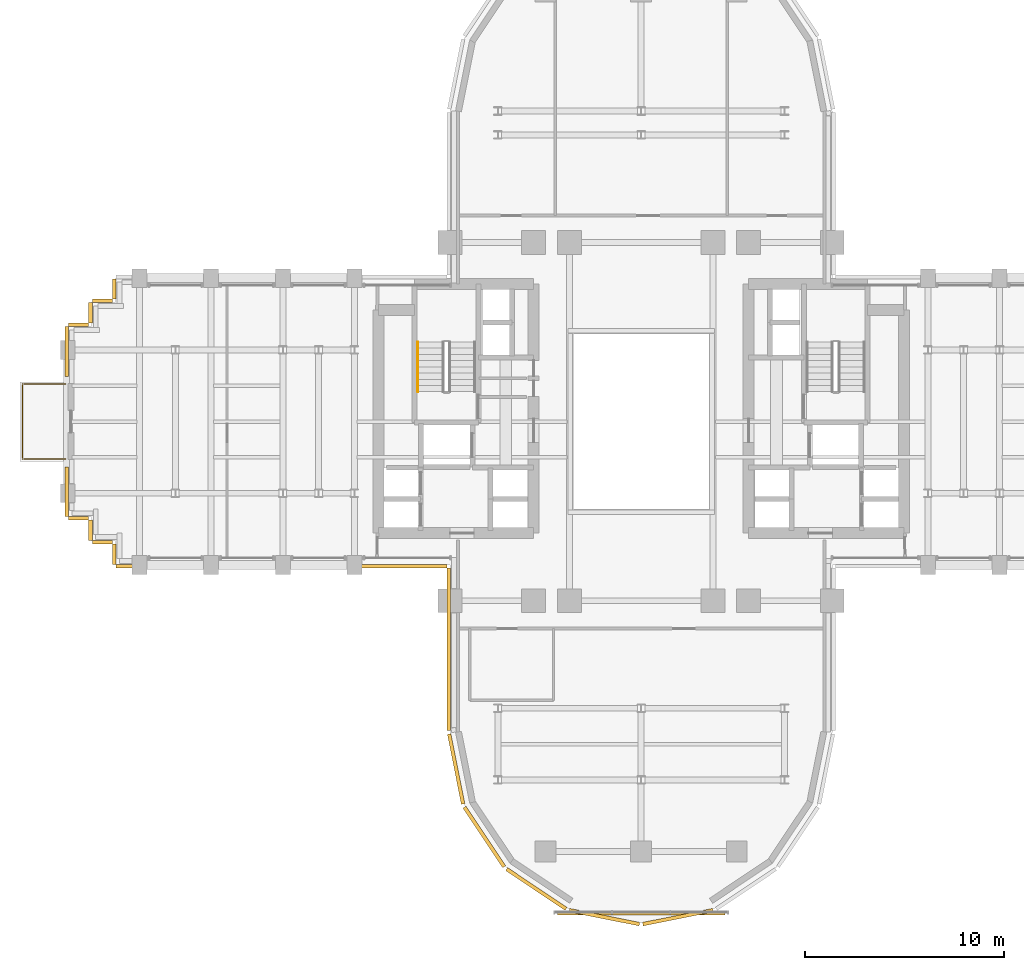
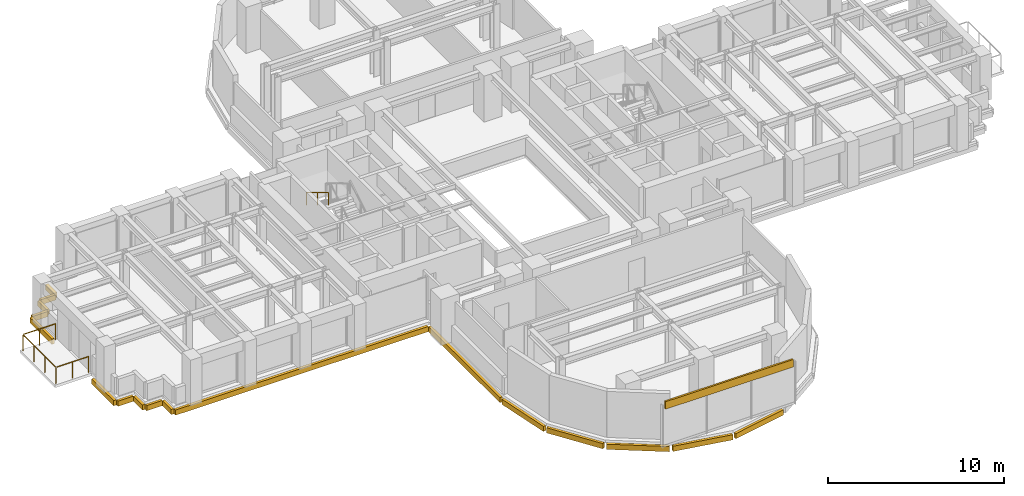
# One storey, part 13 of 15: 18 coverings, 2 railings.
"""IFC4 building model written with IfcOpenShell, lengths in metres."""

import ifcopenshell
import ifcopenshell.guid

model = None  # the IFC model being written
_history = None  # IfcOwnerHistory: only IFC2X3 demands one
_inside = {}  # id of a spatial element -> (the spatial element, [elements in it])
_under = {}  # id of a project, library or spatial element -> (it, [spatial elements below it])
_declared = {}  # id of a project -> (the project, [libraries it declares])
_typed = {}  # id of a type object -> (the type object, [elements of that type])
_made_of = {}  # id of a material, layer set ... -> (it, [elements and type objects made of it])


def new_model(schema):
    """Start an empty IFC model of exactly this schema.

    Asked for "IFC4X3", IfcOpenShell would pick the latest addendum, in which some entities
    have other attributes; the version numbers below select the first issue.
    IFC2X3 requires an IfcOwnerHistory on every rooted entity: one is made here for all.
    """
    global model, _history
    if schema == "IFC4X3":
        model = ifcopenshell.file(schema_version=(4, 3, 0, 0))
    else:
        model = ifcopenshell.file(schema=schema)
    _inside.clear()
    _under.clear()
    _declared.clear()
    _typed.clear()
    _made_of.clear()
    _history = None
    if model.schema == "IFC2X3":
        org = make("IfcOrganization", Name="unknown")
        user = make(
            "IfcPersonAndOrganization",
            ThePerson=make("IfcPerson", FamilyName="unknown"),
            TheOrganization=org,
        )
        app = make(
            "IfcApplication",
            ApplicationDeveloper=org,
            Version="unknown",
            ApplicationFullName="unknown",
            ApplicationIdentifier="unknown",
        )
        _history = make(
            "IfcOwnerHistory",
            OwningUser=user,
            OwningApplication=app,
            ChangeAction="ADDED",
            CreationDate=0,
        )
    return model


def make(cls, **values):
    """One entity of the class cls with the attributes given. An attribute that is None is left unset."""
    return model.create_entity(
        cls, **{name: value for name, value in values.items() if value is not None}
    )


def rooted(cls, **values):
    """An entity with a GlobalId (a new one), such as an element, a storey or a relation."""
    return make(cls, GlobalId=ifcopenshell.guid.new(), OwnerHistory=_history, **values)


def si_unit(unit_type, name, prefix=None):
    """IfcSIUnit, for example si_unit("LENGTHUNIT", "METRE", prefix="MILLI")."""
    return make("IfcSIUnit", UnitType=unit_type, Prefix=prefix, Name=name)


def assignment(units):
    """IfcUnitAssignment: the units of a project."""
    return None if units is None else make("IfcUnitAssignment", Units=units)


def point(xyz):
    """IfcCartesianPoint."""
    return None if xyz is None else make("IfcCartesianPoint", Coordinates=xyz)


def direction(xyz):
    """IfcDirection."""
    return None if xyz is None else make("IfcDirection", DirectionRatios=xyz)


def frame(location, z_axis=None, x_axis=None):
    """IfcAxis2Placement3D, a coordinate frame: its origin and axes. An axis left out is left unset."""
    return make(
        "IfcAxis2Placement3D",
        Location=point(location),
        Axis=direction(z_axis),
        RefDirection=direction(x_axis),
    )


def frame_2d(location, x_axis=None):
    """IfcAxis2Placement2D, a coordinate frame in the plane: its origin and x axis."""
    return make(
        "IfcAxis2Placement2D", Location=point(location), RefDirection=direction(x_axis)
    )


def origin():
    """The frame at (0, 0, 0) with its axes left unset."""
    return frame((0.0, 0.0, 0.0))


def origin_2d():
    """The frame at (0, 0) in the plane with its x axis left unset."""
    return frame_2d((0.0, 0.0))


def place(relative_to, where):
    """IfcLocalPlacement: puts the frame where relative to a parent placement (None: the world)."""
    return make(
        "IfcLocalPlacement", PlacementRelTo=relative_to, RelativePlacement=where
    )


def context(
    kind, dimensions, precision=None, world=None, true_north=None, identifier=None
):
    """IfcGeometricRepresentationContext, for example the 3D "Model" context."""
    return make(
        "IfcGeometricRepresentationContext",
        ContextIdentifier=identifier,
        ContextType=kind,
        CoordinateSpaceDimension=dimensions,
        Precision=precision,
        WorldCoordinateSystem=world,
        TrueNorth=true_north,
    )


def subcontext(parent, identifier, kind, view, scale=None):
    """IfcGeometricRepresentationSubContext, for example "Body" below "Model"."""
    return make(
        "IfcGeometricRepresentationSubContext",
        ContextIdentifier=identifier,
        ContextType=kind,
        ParentContext=parent,
        TargetScale=scale,
        TargetView=view,
    )


def project(units=None, contexts=None):
    """IfcProject with its units and contexts."""
    return rooted(
        "IfcProject",
        Name="project",
        RepresentationContexts=contexts,
        UnitsInContext=assignment(units),
    )


def spatial(cls, under=None, at=None, **own):
    """A site, building, storey or space (cls), placed at a placement, below another one or the project."""
    s = rooted(cls, ObjectPlacement=at, **own)
    if under is not None:
        _under.setdefault(under.id(), (under, []))[1].append(s)
    return s


def profile(cls, at=None, kind="AREA", **sizes):
    """A parametric profile (cls). Its sizes go by their IFC names, for example OverallWidth=200.0."""
    return make(cls, ProfileType=kind, Position=at, **sizes)


def rectangle(**sizes):
    """IfcRectangleProfileDef."""
    return profile("IfcRectangleProfileDef", **sizes)


def extrude(swept, where, along, depth):
    """IfcExtrudedAreaSolid: the profile swept, set in the frame where, extruded along a direction by depth."""
    return make(
        "IfcExtrudedAreaSolid",
        SweptArea=swept,
        Position=where,
        ExtrudedDirection=direction(along),
        Depth=depth,
    )


def shape(context_of_items, identifier, shape_type, items):
    """IfcShapeRepresentation: the items that make up one representation, for example the "Body"."""
    return make(
        "IfcShapeRepresentation",
        ContextOfItems=context_of_items,
        RepresentationIdentifier=identifier,
        RepresentationType=shape_type,
        Items=items,
    )


def source(mapping_origin, context_of_items, identifier, shape_type, items):
    """IfcRepresentationMap: a shape defined once, which mapped items show again and again."""
    return make(
        "IfcRepresentationMap",
        MappingOrigin=mapping_origin,
        MappedRepresentation=shape(context_of_items, identifier, shape_type, items),
    )


def transform(
    local_origin,
    x_axis=None,
    y_axis=None,
    z_axis=None,
    scale=None,
    scale2=None,
    scale3=None,
    uniform=True,
):
    """IfcCartesianTransformationOperator3D, or its non-uniform kind. x_axis, y_axis, z_axis: its Axis1, 2, 3."""
    if uniform:
        return make(
            "IfcCartesianTransformationOperator3D",
            Axis1=direction(x_axis),
            Axis2=direction(y_axis),
            LocalOrigin=point(local_origin),
            Scale=scale,
            Axis3=direction(z_axis),
        )
    return make(
        "IfcCartesianTransformationOperator3DnonUniform",
        Axis1=direction(x_axis),
        Axis2=direction(y_axis),
        LocalOrigin=point(local_origin),
        Scale=scale,
        Axis3=direction(z_axis),
        Scale2=scale2,
        Scale3=scale3,
    )


def mapped(mapping_source, mapping_target):
    """IfcMappedItem: shows the shape of a source again, moved by a transform."""
    return make(
        "IfcMappedItem", MappingSource=mapping_source, MappingTarget=mapping_target
    )


def material(Name=None, Category=None):
    """IfcMaterial."""
    return make("IfcMaterial", Name=Name, Category=Category)


def layer(
    of_material, thickness, ventilated=None, Name=None, Category=None, Priority=None
):
    """IfcMaterialLayer: one layer of a wall or slab, of a material (None: an air gap)."""
    return make(
        "IfcMaterialLayer",
        Material=of_material,
        LayerThickness=thickness,
        IsVentilated=ventilated,
        Name=Name,
        Category=Category,
        Priority=Priority,
    )


def layer_set(layers, Name=None):
    """IfcMaterialLayerSet."""
    return make("IfcMaterialLayerSet", MaterialLayers=layers, LayerSetName=Name)


def made_of(thing, what):
    """Note that an element or type object is made of a material, layer set ...; save() writes the relation."""
    if what is not None:
        _made_of.setdefault(what.id(), (what, []))[1].append(thing)
    return thing


def type_object(cls, material=None, **own):
    """A type object (cls), such as IfcWallType, which elements share."""
    return made_of(rooted(cls, **own), material)


def element(
    cls,
    number,
    at=None,
    inside=None,
    cuts=None,
    type_object=None,
    material=None,
    context=None,
    identifier="Body",
    shape_type=None,
    held_by="IfcProductDefinitionShape",
    body=None,
    shapes=None,
    **own,
):
    """One element of the class cls, such as IfcWall. Its Tag is "e" and its number.

    at: its placement. inside: the storey or other place that contains it. cuts: it is an
    opening in that element (IfcRelVoidsElement). A single representation is given by context,
    identifier, shape_type and body (its items); several are given by shapes. held_by: the class
    of the entity that holds the representations. save() writes the other relations.
    """
    e = rooted(cls, Tag="e%d" % number, ObjectPlacement=at, **own)
    if body is not None:
        shapes = [shape(context, identifier, shape_type, body)]
    if shapes is not None:
        e.Representation = make(held_by, Representations=shapes)
    if inside is not None:
        _inside.setdefault(inside.id(), (inside, []))[1].append(e)
    if cuts is not None:
        rooted(
            "IfcRelVoidsElement", RelatingBuildingElement=cuts, RelatedOpeningElement=e
        )
    if type_object is not None:
        _typed.setdefault(type_object.id(), (type_object, []))[1].append(e)
    return made_of(e, material)


def aggregate(whole, parts):
    """IfcRelAggregates: a whole, such as a stair, and the parts it consists of."""
    return rooted("IfcRelAggregates", RelatingObject=whole, RelatedObjects=parts)


def save(model, path):
    """Write the relations noted so far, then the file.

    IfcRelAggregates (storeys below a building ...), IfcRelContainedInSpatialStructure (elements
    in a storey), IfcRelDefinesByType, IfcRelAssociatesMaterial and IfcRelDeclares: one each for
    every whole, place, type object, material and project.
    """
    for whole, parts in _under.values():
        aggregate(whole, parts)
    for where, things in _inside.values():
        rooted(
            "IfcRelContainedInSpatialStructure",
            RelatedElements=things,
            RelatingStructure=where,
        )
    for kind, things in _typed.values():
        rooted("IfcRelDefinesByType", RelatedObjects=things, RelatingType=kind)
    for what, things in _made_of.values():
        rooted("IfcRelAssociatesMaterial", RelatedObjects=things, RelatingMaterial=what)
    for by, libraries in _declared.values():
        rooted("IfcRelDeclares", RelatingContext=by, RelatedDefinitions=libraries)
    model.write(path)


model = new_model("IFC4")

# Units and contexts
model_context = context("Model", 3, precision=1e-05, world=origin(), true_north=direction((0.0, 1.0)))
body_context = subcontext(model_context, "Body", "Model", "MODEL_VIEW")
ifc_project = project(units=[si_unit("LENGTHUNIT", "METRE"), si_unit("AREAUNIT", "SQUARE_METRE"), si_unit("VOLUMEUNIT", "CUBIC_METRE"), si_unit("PLANEANGLEUNIT", "RADIAN"), si_unit("MASSUNIT", "GRAM", prefix="KILO")], contexts=[model_context])

# Site, building, storey
site_placement = place(None, origin())
site = spatial("IfcSite", under=ifc_project, at=site_placement, CompositionType="ELEMENT")
building_placement = place(site_placement, origin())
building = spatial("IfcBuilding", under=site, at=building_placement, Name="Keilestroom Media Tower", CompositionType="ELEMENT")
storey_placement = place(building_placement, frame((0.0, 0.0, 47.60009765625)))
storey = spatial("IfcBuildingStorey", under=building, at=storey_placement, Name="L11", CompositionType="ELEMENT", Elevation=47.60009765625)

# Railings
ifc_material_1 = material(Name="Brushed Stainless Steel 1.4301", Category="steel")
railing_type_1 = type_object("IfcRailingType", Name="Stair-Pitch-Handrail-920", PredefinedType="HANDRAIL", material=ifc_material_1)
railing_1_placement = place(storey_placement, frame((-11.2099609375, 3.99609375, 1.888671875)))
element("IfcRailing", 1, at=railing_1_placement, inside=storey, type_object=railing_type_1, Name="L11 ST-1 stair handrail 2", PredefinedType="HANDRAIL", context=body_context, shape_type="SweptSolid", body=[
    extrude(rectangle(XDim=0.048095703125, YDim=0.048095703125, at=origin_2d()), frame((0.0, 0.0, 0.8759765625), z_axis=(0.0, -0.855433747314, 0.517912255074), x_axis=(1.0, 0.0, 0.0)), (0.0, 0.0, 1.0), 2.91796875),
    extrude(rectangle(XDim=0.0419921875, YDim=0.0419921875, at=origin_2d()), origin(), (0.0, 0.0, 1.0), 0.84375),
    extrude(rectangle(XDim=0.0419921875, YDim=0.0419921875, at=origin_2d()), frame((0.0, -1.248046875, 0.755615234375)), (0.0, 0.0, 1.0), 0.84375),
    extrude(rectangle(XDim=0.0419921875, YDim=0.0419921875, at=origin_2d()), frame((0.0, -2.49609375, 1.51123046875)), (0.0, 0.0, 1.0), 0.84375),
])
ifc_material_2 = material(Name="Laminated Safety Glass & Stainless Steel", Category="steel")
railing_type_2 = type_object("IfcRailingType", Name="Terrace-And-Atrium-Guard-Balustrade-GD-EXT", PredefinedType="BALUSTRADE", material=ifc_material_2)
railing_2_placement = place(storey_placement, frame((-28.919921875, -1.8798828125, 0.0)))
element("IfcRailing", 2, at=railing_2_placement, inside=storey, type_object=railing_type_2, Name="L11 Terrace Perimeter Guard L11-W", PredefinedType="BALUSTRADE", context=body_context, shape_type="SweptSolid", body=[
    extrude(rectangle(XDim=0.048095703125, YDim=0.048095703125, at=origin_2d()), frame((0.0, 0.0, 1.1259765625), z_axis=(-1.0, 0.0, 0.0), x_axis=(0.0, -1.0, 0.0)), (0.0, 0.0, 1.0), 2.112060546875),
    extrude(rectangle(XDim=0.048095703125, YDim=0.048095703125, at=origin_2d()), frame((-2.16015625, 0.048095703125, 1.1259765625), z_axis=(0.0, 1.0, 0.0), x_axis=(-1.0, 0.0, 0.0)), (0.0, 0.0, 1.0), 3.66357421875),
    extrude(rectangle(XDim=0.048095703125, YDim=0.048095703125, at=origin_2d()), frame((-2.112060546875, 3.759765625, 1.1259765625), z_axis=(1.0, 0.0, 0.0), x_axis=(0.0, 1.0, 0.0)), (0.0, 0.0, 1.0), 2.112060546875),
    extrude(rectangle(XDim=0.0419921875, YDim=0.0419921875, at=origin_2d()), origin(), (0.0, 0.0, 1.0), 1.09375),
    extrude(rectangle(XDim=0.0419921875, YDim=0.0419921875, at=origin_2d()), frame((-1.080078125, 0.0, 0.0)), (0.0, 0.0, 1.0), 1.09375),
    extrude(rectangle(XDim=0.0419921875, YDim=0.0419921875, at=origin_2d()), frame((-2.16015625, 0.0, 0.0)), (0.0, 0.0, 1.0), 1.09375),
    extrude(rectangle(XDim=0.0419921875, YDim=0.0419921875, at=origin_2d()), frame((-2.16015625, 1.253173828125, 0.0)), (0.0, 0.0, 1.0), 1.09375),
    extrude(rectangle(XDim=0.0419921875, YDim=0.0419921875, at=origin_2d()), frame((-2.16015625, 2.506591796875, 0.0)), (0.0, 0.0, 1.0), 1.09375),
    extrude(rectangle(XDim=0.0419921875, YDim=0.0419921875, at=origin_2d()), frame((-2.16015625, 3.759765625, 0.0)), (0.0, 0.0, 1.0), 1.09375),
    extrude(rectangle(XDim=0.0419921875, YDim=0.0419921875, at=origin_2d()), frame((-1.080078125, 3.759765625, 0.0)), (0.0, 0.0, 1.0), 1.09375),
    extrude(rectangle(XDim=0.0419921875, YDim=0.0419921875, at=origin_2d()), frame((0.0, 3.759765625, 0.0)), (0.0, 0.0, 1.0), 1.09375),
])

# Coverings
ifc_material_3 = material(Name="Precast concrete C40/50", Category="concrete")
ifc_layer = layer(ifc_material_3, 0.1201171875)
ifc_layer_set = layer_set([ifc_layer], Name="Precast concrete C40/50")
covering_type = type_object("IfcCoveringType", Name="Exterior-Precast-Spandrel-Cladding-Panel-120", PredefinedType="CLADDING", material=ifc_layer_set)
shared_shape_1 = source(origin(), body_context, "Body", "SweptSolid", [
    extrude(rectangle(XDim=8.39990234375, YDim=0.1201171875, at=origin_2d()), origin(), (0.0, 0.0, 1.0), 0.52001953125),
])
covering_1_placement = place(storey_placement, frame((0.0, -24.719970703125, 2.68994140625), z_axis=(0.0, 0.0, 1.0), x_axis=(1.0, 0.0, 0.0)))
element("IfcCovering", 3, at=covering_1_placement, inside=storey, type_object=covering_type, Name="L11 Precast Spandrel Cladding S", PredefinedType="CLADDING", context=body_context, shape_type="MappedRepresentation", body=[
    mapped(shared_shape_1, transform((0.0, 0.0, 0.0), x_axis=(1.0, 0.0, 0.0), y_axis=(0.0, 1.0, 0.0), z_axis=(0.0, 0.0, 1.0), scale=1.0)),
])
shared_shape_2 = source(origin(), body_context, "Body", "SweptSolid", [
    extrude(rectangle(XDim=1.02001953125, YDim=0.179931640625, at=origin_2d()), origin(), (0.0, 0.0, 1.0), 0.360107421875),
])
for number, where, z_axis, x_axis, name in (
    (4, (-26.4599609375, -6.659912109375, -0.5400390625), (0.0, 0.0, 1.0), (0.0, 1.0, 0.0), "L11 Precast Slab-Edge Fascia Cornice 17"),
    (5, (-27.06005859375, -6.06005859375, -0.5400390625), (0.0, 0.0, 1.0), (-1.0, 0.0, 0.0), "L11 Precast Slab-Edge Fascia Cornice 18"),
    (6, (-27.659912109375, -5.4599609375, -0.5400390625), (0.0, 0.0, 1.0), (0.0, 1.0, 0.0), "L11 Precast Slab-Edge Fascia Cornice 19"),
    (7, (-28.260009765625, -4.860107421875, -0.5400390625), (0.0, 0.0, 1.0), (-1.0, 0.0, 0.0), "L11 Precast Slab-Edge Fascia Cornice 20"),
    (8, (-28.260009765625, 4.860107421875, -0.5400390625), (0.0, 0.0, 1.0), (1.0, 0.0, 0.0), "L11 Precast Slab-Edge Fascia Cornice 23"),
    (9, (-27.659912109375, 5.4599609375, -0.5400390625), (0.0, 0.0, 1.0), (0.0, 1.0, 0.0), "L11 Precast Slab-Edge Fascia Cornice 24"),
    (10, (-27.06005859375, 6.06005859375, -0.5400390625), (0.0, 0.0, 1.0), (1.0, 0.0, 0.0), "L11 Precast Slab-Edge Fascia Cornice 25"),
    (11, (-26.4599609375, 6.659912109375, -0.5400390625), (0.0, 0.0, 1.0), (0.0, 1.0, 0.0), "L11 Precast Slab-Edge Fascia Cornice 26"),
):
    element("IfcCovering", number, at=place(storey_placement, frame(where, z_axis=z_axis, x_axis=x_axis)), inside=storey, type_object=covering_type, Name=name, PredefinedType="CLADDING", context=body_context, shape_type="MappedRepresentation", body=[
        mapped(shared_shape_2, transform((0.0, 0.0, 0.0), x_axis=(1.0, 0.0, 0.0), y_axis=(0.0, 1.0, 0.0), z_axis=(0.0, 0.0, 1.0), scale=1.0)),
    ])
shared_shape_3 = source(origin(), body_context, "Body", "SweptSolid", [
    extrude(rectangle(XDim=16.6201171875, YDim=0.179931640625, at=origin_2d()), origin(), (0.0, 0.0, 1.0), 0.360107421875),
])
covering_2_placement = place(storey_placement, frame((-18.06005859375, -7.260009765625, -0.5400390625), z_axis=(0.0, 0.0, 1.0), x_axis=(-1.0, 0.0, 0.0)))
element("IfcCovering", 12, at=covering_2_placement, inside=storey, type_object=covering_type, Name="L11 Precast Slab-Edge Fascia Cornice 16", PredefinedType="CLADDING", context=body_context, shape_type="MappedRepresentation", body=[
    mapped(shared_shape_3, transform((0.0, 0.0, 0.0), x_axis=(1.0, 0.0, 0.0), y_axis=(0.0, 1.0, 0.0), z_axis=(0.0, 0.0, 1.0), scale=1.0)),
])
shared_shape_4 = source(origin(), body_context, "Body", "SweptSolid", [
    extrude(rectangle(XDim=8.166015625, YDim=0.179931640625, at=origin_2d()), origin(), (0.0, 0.0, 1.0), 0.360107421875),
])
covering_3_placement = place(storey_placement, frame((-9.659912109375, -11.43310546875, -0.5400390625), z_axis=(0.0, 0.0, 1.0), x_axis=(0.0, 1.0, 0.0)))
element("IfcCovering", 13, at=covering_3_placement, inside=storey, type_object=covering_type, Name="L11 Precast Slab-Edge Fascia Cornice 15", PredefinedType="CLADDING", context=body_context, shape_type="MappedRepresentation", body=[
    mapped(shared_shape_4, transform((0.0, 0.0, 0.0), x_axis=(1.0, 0.0, 0.0), y_axis=(0.0, 1.0, 0.0), z_axis=(0.0, 0.0, 1.0), scale=1.0)),
])
shared_shape_5 = source(origin(), body_context, "Body", "SweptSolid", [
    extrude(rectangle(XDim=3.58349609375, YDim=0.179931640625, at=origin_2d()), origin(), (0.0, 0.0, 1.0), 0.360107421875),
])
covering_4_placement = place(storey_placement, frame((-9.29296875, -17.45166015625, -0.5400390625), z_axis=(0.0, 0.0, 1.0), x_axis=(-0.195098880975, 0.980783577882, 0.0)))
element("IfcCovering", 14, at=covering_4_placement, inside=storey, type_object=covering_type, Name="L11 Precast Slab-Edge Fascia Cornice 14", PredefinedType="CLADDING", context=body_context, shape_type="MappedRepresentation", body=[
    mapped(shared_shape_5, transform((0.0, 0.0, 0.0), x_axis=(1.0, 0.0, 0.0), y_axis=(0.0, 1.0, 0.0), z_axis=(0.0, 0.0, 1.0), scale=1.0)),
])
shared_shape_6 = source(origin(), body_context, "Body", "SweptSolid", [
    extrude(rectangle(XDim=3.589599609375, YDim=0.179931640625, at=origin_2d()), origin(), (0.0, 0.0, 1.0), 0.360107421875),
])
for number, where, z_axis, x_axis, name in (
    (15, (1.8486328125, -24.893310546875, -0.5400390625), (0.0, 0.0, 1.0), (-0.980783577882, -0.195098880975, 0.0), "L11 Precast Slab-Edge Fascia Cornice 10"),
    (16, (-1.8486328125, -24.893310546875, -0.5400390625), (0.0, 0.0, 1.0), (-0.980783577882, 0.195098880975, 0.0), "L11 Precast Slab-Edge Fascia Cornice 11"),
    (17, (-5.264404296875, -23.478515625, -0.5400390625), (0.0, 0.0, 1.0), (-0.831466703332, 0.555574586577, 0.0), "L11 Precast Slab-Edge Fascia Cornice 12"),
    (18, (-7.878662109375, -20.8642578125, -0.5400390625), (0.0, 0.0, 1.0), (-0.555574586577, 0.831466703332, 0.0), "L11 Precast Slab-Edge Fascia Cornice 13"),
):
    element("IfcCovering", number, at=place(storey_placement, frame(where, z_axis=z_axis, x_axis=x_axis)), inside=storey, type_object=covering_type, Name=name, PredefinedType="CLADDING", context=body_context, shape_type="MappedRepresentation", body=[
        mapped(shared_shape_6, transform((0.0, 0.0, 0.0), x_axis=(1.0, 0.0, 0.0), y_axis=(0.0, 1.0, 0.0), z_axis=(0.0, 0.0, 1.0), scale=1.0)),
    ])
shared_shape_7 = source(origin(), body_context, "Body", "SweptSolid", [
    extrude(rectangle(XDim=2.5, YDim=0.179931640625, at=origin_2d()), origin(), (0.0, 0.0, 1.0), 0.360107421875),
])
for number, where, z_axis, x_axis, name in (
    (19, (-28.860107421875, -3.52001953125, -0.5400390625), (0.0, 0.0, 1.0), (0.0, 1.0, 0.0), "L11 Precast Slab-Edge Fascia Cornice 21"),
    (20, (-28.860107421875, 3.52001953125, -0.5400390625), (0.0, 0.0, 1.0), (0.0, 1.0, 0.0), "L11 Precast Slab-Edge Fascia Cornice 22"),
):
    element("IfcCovering", number, at=place(storey_placement, frame(where, z_axis=z_axis, x_axis=x_axis)), inside=storey, type_object=covering_type, Name=name, PredefinedType="CLADDING", context=body_context, shape_type="MappedRepresentation", body=[
        mapped(shared_shape_7, transform((0.0, 0.0, 0.0), x_axis=(1.0, 0.0, 0.0), y_axis=(0.0, 1.0, 0.0), z_axis=(0.0, 0.0, 1.0), scale=1.0)),
    ])

save(model, "model.ifc")
